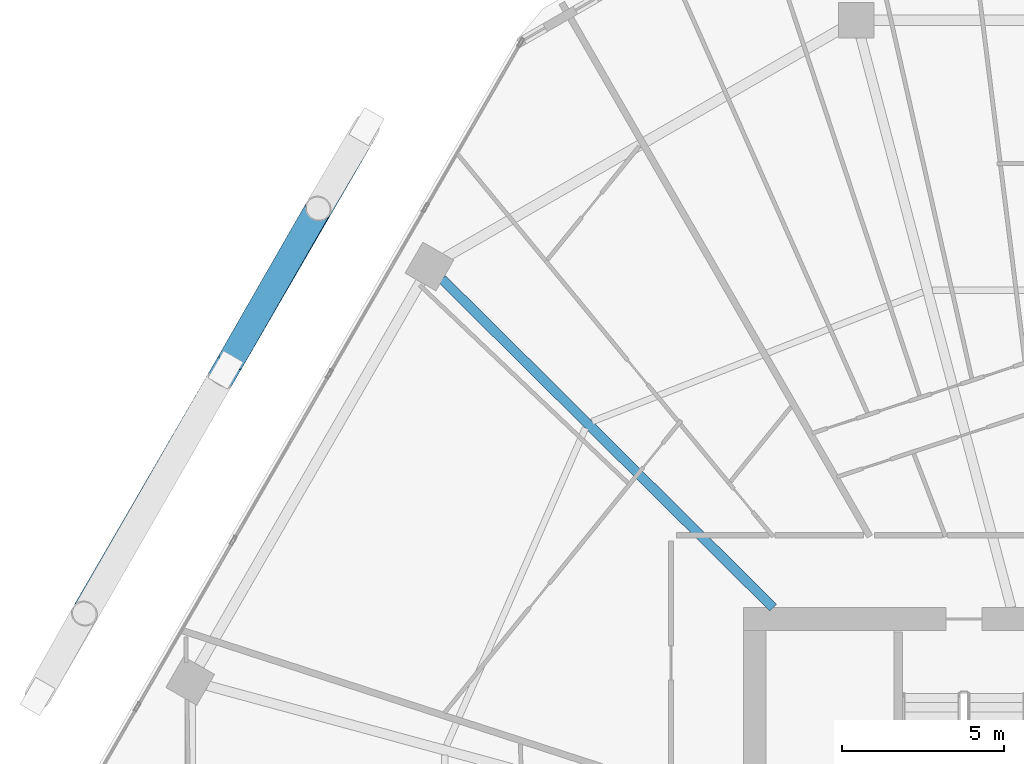
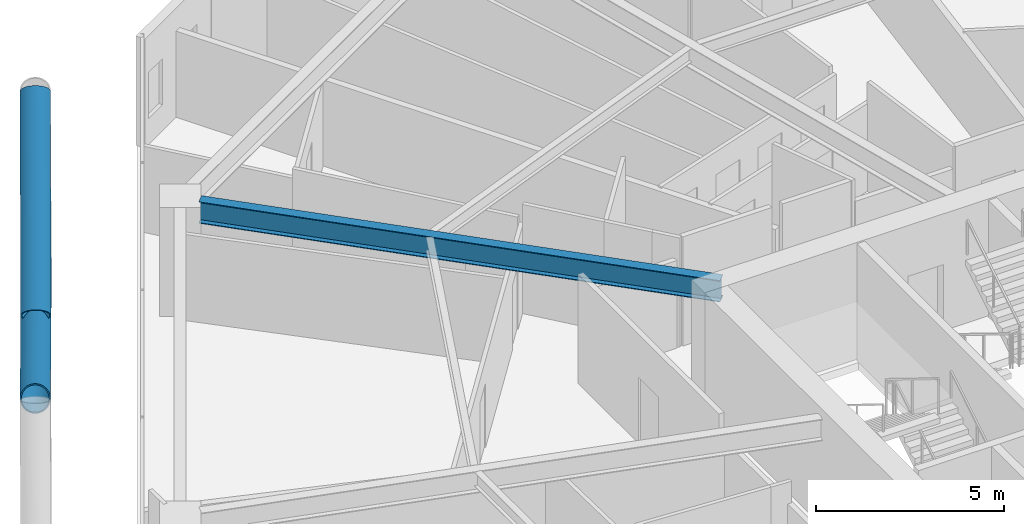
# One storey, part 17 of 35: 2 members, 1 beam.
"""IFC4 building model written with IfcOpenShell, lengths in metres."""

from ifc_helpers import new_model, si_unit, direction, frame, origin, origin_2d, place, context, subcontext, project, spatial, hollow_circle, i_section, extrude, material, material_profile, profile_set, type_object, element, save


model = new_model("IFC4")

# Units and contexts
model_context = context("Model", 3, precision=1e-05, world=origin(), true_north=direction((0.0, 1.0)))
body_context = subcontext(model_context, "Body", "Model", "MODEL_VIEW")
ifc_project = project(units=[si_unit("LENGTHUNIT", "METRE"), si_unit("AREAUNIT", "SQUARE_METRE"), si_unit("VOLUMEUNIT", "CUBIC_METRE"), si_unit("PLANEANGLEUNIT", "RADIAN"), si_unit("MASSUNIT", "GRAM", prefix="KILO")], contexts=[model_context])

# Site, building, storey
site_placement = place(None, origin())
site = spatial("IfcSite", under=ifc_project, at=site_placement, CompositionType="ELEMENT")
building_placement = place(site_placement, origin())
building = spatial("IfcBuilding", under=site, at=building_placement, Name="Zuhravey Tower", CompositionType="ELEMENT")
storey_placement = place(building_placement, frame((0.0, 0.0, 92.39990234375)))
storey = spatial("IfcBuildingStorey", under=building, at=storey_placement, Name="L22", CompositionType="ELEMENT", Elevation=92.39990234375)

# Members
ifc_material_1 = material(Name="Steel SM460", Category="steel")
ifc_material_profile_1 = material_profile(ifc_material_1, hollow_circle(Radius=0.406494140625, WallThickness=0.035888671875, at=origin_2d()), Name="CHS-812.8x36")
ifc_profile_set_1 = profile_set([ifc_material_profile_1], Name="Steel SM460")
member_type = type_object("IfcMemberType", Name="Exoskeleton Zone 1 Diagrid CHS813x36", PredefinedType="BRACE", material=ifc_profile_set_1)
member_1_placement = place(storey_placement, frame((13.522216796875, 56.62451171875, -0.44189453125), z_axis=(-0.459273559624, -0.792325721953, 0.401606458814), x_axis=(0.865161652181, -0.501493086288, 0.0)))
element("IfcMember", 1, at=member_1_placement, inside=storey, type_object=member_type, Name="L22 Face 3 Diagrid Brace 2", PredefinedType="BRACE", context=body_context, shape_type="SweptSolid", body=[
    extrude(hollow_circle(Radius=0.406494140625, WallThickness=0.035888671875, at=origin_2d()), origin(), (0.0, 0.0, 1.0), 18.814208984375),
])
member_2_placement = place(storey_placement, frame((9.3662109375, 49.45751953125, 3.555419921875), z_axis=(0.414640000807, 0.722538731682, 0.553183017591), x_axis=(-0.867331221622, 0.497731405479, 0.0)))
element("IfcMember", 2, at=member_2_placement, inside=storey, type_object=member_type, Name="L22 Face 3 Split Diagrid Brace 3B", PredefinedType="BRACE", context=body_context, shape_type="SweptSolid", body=[
    extrude(hollow_circle(Radius=0.406494140625, WallThickness=0.035888671875, at=origin_2d()), origin(), (0.0, 0.0, 1.0), 6.41796875),
])

# Beam
ifc_material_2 = material(Name="Steel SM355", Category="steel")
ifc_material_profile_2 = material_profile(ifc_material_2, i_section(OverallWidth=0.300048828125, OverallDepth=0.699951171875, WebThickness=0.012939453125, FlangeThickness=0.02392578125, at=origin_2d()), Name="H-700x300x13x24")
ifc_profile_set_2 = profile_set([ifc_material_profile_2], Name="Steel SM355")
beam_type = type_object("IfcBeamType", Name="Radial Primary Girder H700x300", PredefinedType="BEAM", material=ifc_profile_set_2)
beam_placement = place(storey_placement, frame((26.068603515625, 41.85302734375, 3.2001953125), z_axis=(-0.709906230344, 0.704296204816, 0.0), x_axis=(-0.704296204816, -0.709906230344, 0.0)))
element("IfcBeam", 3, at=beam_placement, inside=storey, type_object=beam_type, Name="L22 RG1 BM-L22-RAD-05", PredefinedType="BEAM", context=body_context, shape_type="SweptSolid", body=[
    extrude(i_section(OverallWidth=0.300048828125, OverallDepth=0.699951171875, WebThickness=0.012939453125, FlangeThickness=0.02392578125, at=origin_2d()), origin(), (0.0, 0.0, 1.0), 14.361083984375),
])

save(model, "model.ifc")
